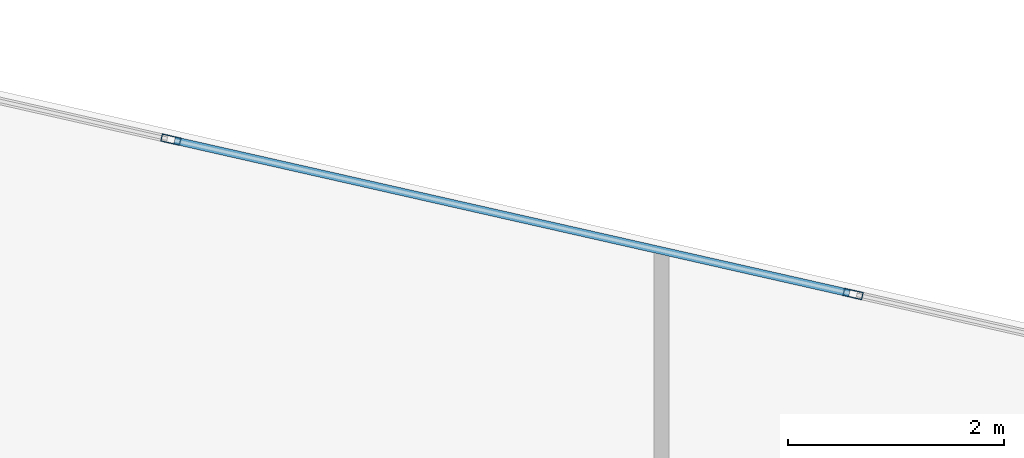
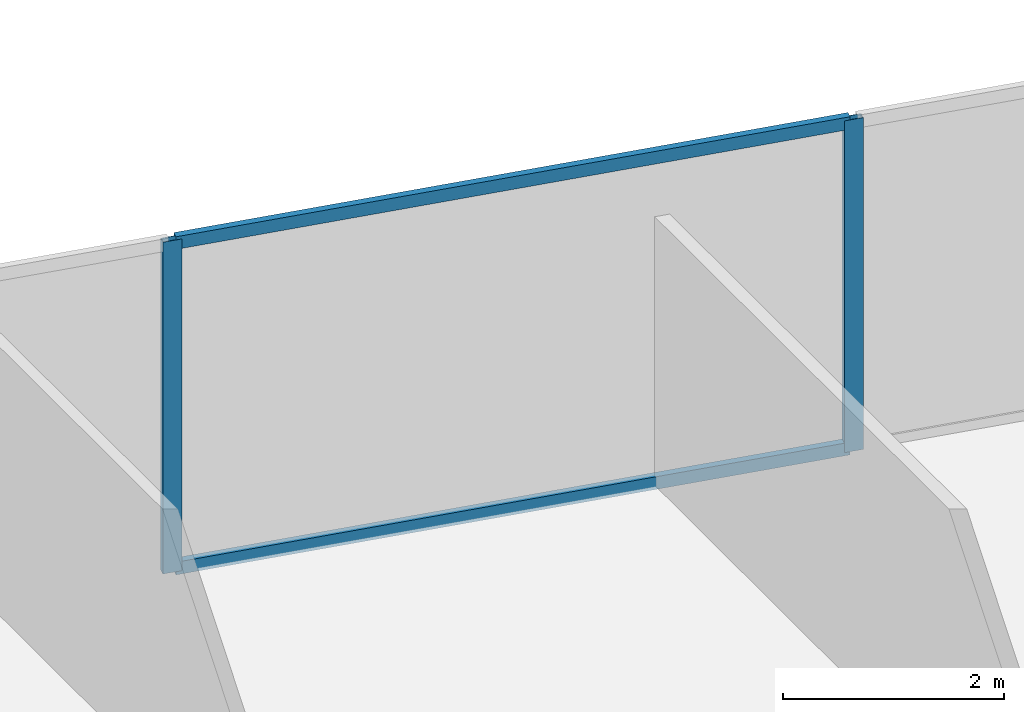
# One storey, part 21 of 26: 4 members, 1 element without a shape of its own.
"""IFC4 building model written with IfcOpenShell, lengths in metres."""

from ifc_helpers import new_model, si_unit, direction, frame, origin, origin_2d, place, context, subcontext, project, spatial, hollow_rectangle, extrude, source, transform, mapped, material, material_profile, profile_set, type_object, type_shapes, element, aggregate, save


model = new_model("IFC4")

# Units and contexts
model_context = context("Model", 3, precision=1e-05, world=origin(), true_north=direction((0.0, 1.0)))
body_context = subcontext(model_context, "Body", "Model", "MODEL_VIEW")
ifc_project = project(units=[si_unit("LENGTHUNIT", "METRE"), si_unit("AREAUNIT", "SQUARE_METRE"), si_unit("VOLUMEUNIT", "CUBIC_METRE"), si_unit("PLANEANGLEUNIT", "RADIAN"), si_unit("MASSUNIT", "GRAM", prefix="KILO")], contexts=[model_context])

# Site, building, storey
site_placement = place(None, origin())
site = spatial("IfcSite", under=ifc_project, at=site_placement, CompositionType="ELEMENT")
building_placement = place(site_placement, origin())
building = spatial("IfcBuilding", under=site, at=building_placement, Name="Krantzveldt Concourse Tower", CompositionType="ELEMENT")
storey_placement = place(building_placement, frame((0.0, 0.0, 90.050048828125)))
storey = spatial("IfcBuildingStorey", under=building, at=storey_placement, Name="L21", CompositionType="ELEMENT", Elevation=90.050048828125)

# Curtain wall, members
ifc_material = material(Name="Anodised aluminium 6063-T6", Category="aluminium")
curtain_wall_type = type_object("IfcCurtainWallType", Name="CW2", PredefinedType="USERDEFINED", material=ifc_material)
curtain_wall_placement = place(storey_placement, origin())
curtain_wall = element("IfcCurtainWall", 1, at=curtain_wall_placement, inside=storey, type_object=curtain_wall_type, Name="CW-L21-F10", ObjectType="UNITISED CURTAIN WALL", PredefinedType="USERDEFINED")
ifc_material_profile_1 = material_profile(ifc_material, hollow_rectangle(XDim=0.070068359375, YDim=0.179931640625, WallThickness=0.0048828125, at=origin_2d()), Name="Anodised aluminium 6063-T6", Category="aluminium")
ifc_profile_set_1 = profile_set([ifc_material_profile_1], Name="Anodised aluminium 6063-T6 - ALU-MULL 180x70x5")
member_type_1 = type_object("IfcMemberType", Name="CW-MUL-180", PredefinedType="MULLION", material=ifc_profile_set_1)
shared_shape_1 = source(origin(), body_context, "Body", "SweptSolid", [
    extrude(hollow_rectangle(XDim=0.070068359375, YDim=0.179931640625, WallThickness=0.0048828125, at=origin_2d()), origin(), (0.0, 0.0, 1.0), 3.669921875),
])
type_shapes(member_type_1, [shared_shape_1])
member_1_placement = place(storey_placement, frame((47.45166015625, 48.008056640625, 0.0), z_axis=(0.0, 0.0, 1.0), x_axis=(-0.220697434579, -0.975342320609, 0.0)))
member_1 = element("IfcMember", 2, at=member_1_placement, type_object=member_type_1, Name="CW-Z12 mullion 3", PredefinedType="MULLION", context=body_context, shape_type="MappedRepresentation", body=[
    mapped(shared_shape_1, transform((0.0, 0.0, 0.0), x_axis=(1.0, 0.0, 0.0), y_axis=(0.0, 1.0, 0.0), z_axis=(0.0, 0.0, 1.0), scale=1.0)),
])
member_2_placement = place(storey_placement, frame((41.14453125, 49.435302734375, 0.0), z_axis=(0.0, 0.0, 1.0), x_axis=(-0.220697434579, -0.975342320609, 0.0)))
member_2 = element("IfcMember", 3, at=member_2_placement, type_object=member_type_1, Name="CW-Z12 mullion 4", PredefinedType="MULLION", context=body_context, shape_type="MappedRepresentation", body=[
    mapped(shared_shape_1, transform((0.0, 0.0, 0.0), x_axis=(1.0, 0.0, 0.0), y_axis=(0.0, 1.0, 0.0), z_axis=(0.0, 0.0, 1.0), scale=1.0)),
])
ifc_material_profile_2 = material_profile(ifc_material, hollow_rectangle(XDim=0.070068359375, YDim=0.139892578125, WallThickness=0.0048828125, at=origin_2d()), Name="Anodised aluminium 6063-T6", Category="aluminium")
ifc_profile_set_2 = profile_set([ifc_material_profile_2], Name="Anodised aluminium 6063-T6 - ALU-TRAN 140x70x5")
member_type_2 = type_object("IfcMemberType", Name="CW-TRN-150", PredefinedType="USERDEFINED", material=ifc_profile_set_2)
shared_shape_2 = source(origin(), body_context, "Body", "SweptSolid", [
    extrude(hollow_rectangle(XDim=0.070068359375, YDim=0.139892578125, WallThickness=0.0048828125, at=origin_2d()), origin(), (0.0, 0.0, 1.0), 6.396484375),
])
type_shapes(member_type_2, [shared_shape_2])
member_3_placement = place(storey_placement, frame((47.41748046875, 48.015869140625, 0.034912109375), z_axis=(-0.975344619733, 0.220687273667, 0.0), x_axis=(-0.220687273667, -0.975344619733, 0.0)))
member_3 = element("IfcMember", 4, at=member_3_placement, type_object=member_type_2, Name="CW-Z12 transom 3.1", ObjectType="TRANSOM", PredefinedType="USERDEFINED", context=body_context, shape_type="MappedRepresentation", body=[
    mapped(shared_shape_2, transform((0.0, 0.0, 0.0), x_axis=(1.0, 0.0, 0.0), y_axis=(0.0, 1.0, 0.0), z_axis=(0.0, 0.0, 1.0), scale=1.0)),
])
member_4_placement = place(storey_placement, frame((47.41748046875, 48.015869140625, 3.635009765625), z_axis=(-0.975344619733, 0.220687273667, 0.0), x_axis=(-0.220687273667, -0.975344619733, 0.0)))
member_4 = element("IfcMember", 5, at=member_4_placement, type_object=member_type_2, Name="CW-Z12 transom 3.2", ObjectType="TRANSOM", PredefinedType="USERDEFINED", context=body_context, shape_type="MappedRepresentation", body=[
    mapped(shared_shape_2, transform((0.0, 0.0, 0.0), x_axis=(1.0, 0.0, 0.0), y_axis=(0.0, 1.0, 0.0), z_axis=(0.0, 0.0, 1.0), scale=1.0)),
])
aggregate(curtain_wall, [member_1, member_2, member_3, member_4])

save(model, "model.ifc")
